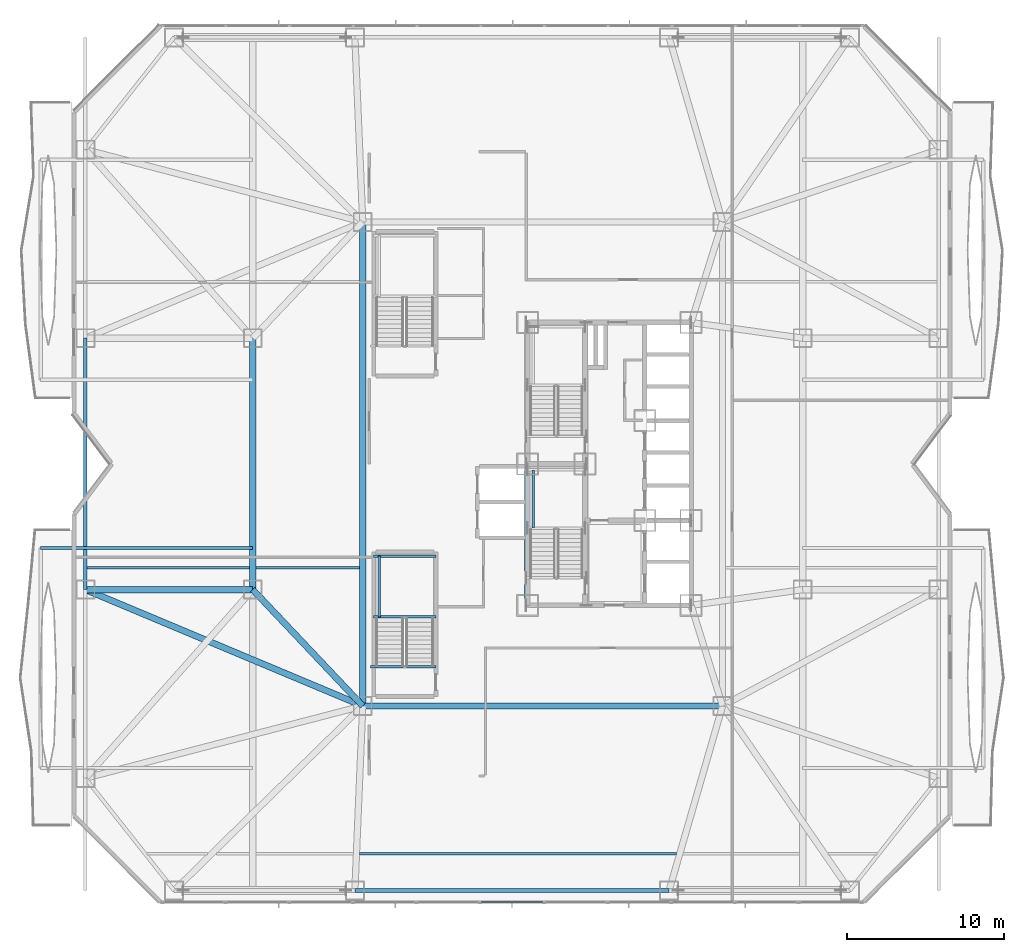
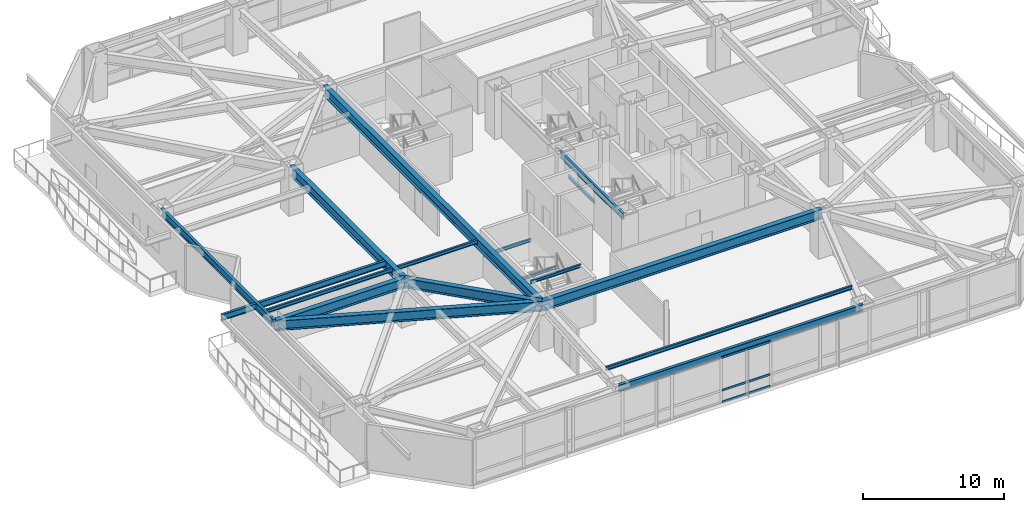
# One storey, part 5 of 32: 18 beams, 3 members, 1 element without a shape of its own.
"""IFC4 building model written with IfcOpenShell, lengths in metres."""

from ifc_helpers import new_model, si_unit, direction, frame, origin, origin_2d, place, context, subcontext, project, spatial, hollow_rectangle, i_section, extrude, material, material_profile, profile_set, type_object, element, aggregate, save


model = new_model("IFC4")

# Units and contexts
model_context = context("Model", 3, precision=1e-05, world=origin(), true_north=direction((0.0, 1.0)))
body_context = subcontext(model_context, "Body", "Model", "MODEL_VIEW")
ifc_project = project(units=[si_unit("LENGTHUNIT", "METRE"), si_unit("AREAUNIT", "SQUARE_METRE"), si_unit("VOLUMEUNIT", "CUBIC_METRE"), si_unit("PLANEANGLEUNIT", "RADIAN"), si_unit("MASSUNIT", "GRAM", prefix="KILO")], contexts=[model_context])

# Site, building, storey
site_placement = place(None, origin())
site = spatial("IfcSite", under=ifc_project, at=site_placement, CompositionType="ELEMENT")
building_placement = place(site_placement, origin())
building = spatial("IfcBuilding", under=site, at=building_placement, Name="Khamvora Tower", CompositionType="ELEMENT")
storey_placement = place(building_placement, frame((0.0, 0.0, 12.0)))
storey = spatial("IfcBuildingStorey", under=building, at=storey_placement, Name="L02", CompositionType="ELEMENT", Elevation=12.0)

# Beams
ifc_material_1 = material(Name="Steel S355", Category="steel")
ifc_material_profile_1 = material_profile(ifc_material_1, i_section(OverallWidth=0.166015625, OverallDepth=0.31298828125, WebThickness=0.007080078125, FlangeThickness=0.010986328125, FilletRadius=0.010009765625, at=origin_2d()), Name="W310x45")
ifc_profile_set_1 = profile_set([ifc_material_profile_1], Name="Steel S355")
beam_type_1 = type_object("IfcBeamType", Name="BM-JS-W310x45", PredefinedType="JOIST", material=ifc_profile_set_1)
beam_1_placement = place(storey_placement, frame((18.294921875, 3.199951171875, 3.763916015625), z_axis=(1.0, 0.0, 0.0), x_axis=(0.0, 1.0, 0.0)))
element("IfcBeam", 1, at=beam_1_placement, inside=storey, type_object=beam_type_1, Name="L02 secondary floor joist 04", PredefinedType="JOIST", context=body_context, shape_type="SweptSolid", body=[
    extrude(i_section(OverallWidth=0.166015625, OverallDepth=0.31298828125, WebThickness=0.007080078125, FlangeThickness=0.010986328125, FilletRadius=0.010009765625, at=origin_2d()), origin(), (0.0, 0.0, 1.0), 20.18212890625),
])
beam_2_placement = place(storey_placement, frame((0.9599609375, 21.39990234375, 3.763916015625), z_axis=(1.0, 0.0, 0.0), x_axis=(0.0, 1.0, 0.0)))
element("IfcBeam", 2, at=beam_2_placement, inside=storey, type_object=beam_type_1, Name="L02 secondary floor joist 07", PredefinedType="JOIST", context=body_context, shape_type="SweptSolid", body=[
    extrude(i_section(OverallWidth=0.166015625, OverallDepth=0.31298828125, WebThickness=0.007080078125, FlangeThickness=0.010986328125, FilletRadius=0.010009765625, at=origin_2d()), origin(), (0.0, 0.0, 1.0), 10.344970703125),
])
beam_3_placement = place(storey_placement, frame((11.695068359375, 21.39990234375, 3.763916015625), z_axis=(1.0, 0.0, 0.0), x_axis=(0.0, 1.0, 0.0)))
element("IfcBeam", 3, at=beam_3_placement, inside=storey, type_object=beam_type_1, Name="L02 secondary floor joist 08", PredefinedType="JOIST", context=body_context, shape_type="SweptSolid", body=[
    extrude(i_section(OverallWidth=0.166015625, OverallDepth=0.31298828125, WebThickness=0.007080078125, FlangeThickness=0.010986328125, FilletRadius=0.010009765625, at=origin_2d()), origin(), (0.0, 0.0, 1.0), 6.60986328125),
])
ifc_material_profile_2 = material_profile(ifc_material_1, i_section(OverallWidth=0.14697265625, OverallDepth=0.261962890625, WebThickness=0.007080078125, FlangeThickness=0.010986328125, FilletRadius=0.008056640625, at=origin_2d()), Name="W250x39")
ifc_profile_set_2 = profile_set([ifc_material_profile_2], Name="Steel S355")
beam_type_2 = type_object("IfcBeamType", Name="BM-LN-W250x39", PredefinedType="LINTEL", material=ifc_profile_set_2)
beam_4_placement = place(storey_placement, frame((29.35009765625, 23.9150390625, 1.76904296875), z_axis=(0.0, 1.0, 0.0), x_axis=(-1.0, 0.0, 0.0)))
element("IfcBeam", 4, at=beam_4_placement, inside=storey, type_object=beam_type_2, Name="L02 ST-01 half-landing edge stringer 1", PredefinedType="LINTEL", context=body_context, shape_type="SweptSolid", body=[
    extrude(i_section(OverallWidth=0.14697265625, OverallDepth=0.261962890625, WebThickness=0.007080078125, FlangeThickness=0.010986328125, FilletRadius=0.008056640625, at=origin_2d()), origin(), (0.0, 0.0, 1.0), 3.71484375),
])
for number, where, z_axis, x_axis, name in (
    (5, (19.199951171875, 18.264892578125, 1.76904296875), (1.0, 0.0, 0.0), (0.0, 1.0, 0.0), "L02 ST-03 half-landing support beam 1.1"),
    (6, (19.199951171875, 22.1298828125, 1.76904296875), (1.0, 0.0, 0.0), (0.0, 1.0, 0.0), "L02 ST-03 half-landing support beam 1.2"),
):
    element("IfcBeam", number, at=place(storey_placement, frame(where, z_axis=z_axis, x_axis=x_axis)), inside=storey, type_object=beam_type_2, Name=name, PredefinedType="LINTEL", context=body_context, shape_type="SweptSolid", body=[
        extrude(i_section(OverallWidth=0.14697265625, OverallDepth=0.261962890625, WebThickness=0.007080078125, FlangeThickness=0.010986328125, FilletRadius=0.008056640625, at=origin_2d()), origin(), (0.0, 0.0, 1.0), 3.949951171875),
    ])
beam_5_placement = place(storey_placement, frame((19.550048828125, 18.264892578125, 1.76904296875), z_axis=(0.0, 1.0, 0.0), x_axis=(-1.0, 0.0, 0.0)))
element("IfcBeam", 7, at=beam_5_placement, inside=storey, type_object=beam_type_2, Name="L02 ST-03 half-landing edge stringer 1", PredefinedType="LINTEL", context=body_context, shape_type="SweptSolid", body=[
    extrude(i_section(OverallWidth=0.14697265625, OverallDepth=0.261962890625, WebThickness=0.007080078125, FlangeThickness=0.010986328125, FilletRadius=0.008056640625, at=origin_2d()), origin(), (0.0, 0.0, 1.0), 3.864990234375),
])
beam_6_placement = place(storey_placement, frame((19.0, 15.10009765625, 3.7939453125), z_axis=(1.0, 0.0, 0.0), x_axis=(0.0, 1.0, 0.0)))
element("IfcBeam", 8, at=beam_6_placement, inside=storey, type_object=beam_type_2, Name="L02 podium stair ST03 landing trimmer beam", PredefinedType="LINTEL", context=body_context, shape_type="SweptSolid", body=[
    extrude(i_section(OverallWidth=0.14697265625, OverallDepth=0.261962890625, WebThickness=0.007080078125, FlangeThickness=0.010986328125, FilletRadius=0.008056640625, at=origin_2d()), origin(), (0.0, 0.0, 1.0), 4.14990234375),
])
ifc_material_profile_3 = material_profile(ifc_material_1, i_section(OverallWidth=0.39990234375, OverallDepth=0.85498046875, WebThickness=0.01806640625, FlangeThickness=0.029052734375, FilletRadius=0.01806640625, at=origin_2d()), Name="W840x299")
ifc_profile_set_3 = profile_set([ifc_material_profile_3], Name="Steel S355")
beam_type_3 = type_object("IfcBeamType", Name="BM-PG-W840x299", PredefinedType="BEAM", material=ifc_profile_set_3)
beam_7_placement = place(storey_placement, frame((18.5, 12.60009765625, 3.491943359375), z_axis=(0.0, 1.0, 0.0), x_axis=(-1.0, 0.0, 0.0)))
element("IfcBeam", 9, at=beam_7_placement, inside=storey, type_object=beam_type_3, Name="L02 longitudinal frame girder P17-P19", PredefinedType="BEAM", context=body_context, shape_type="SweptSolid", body=[
    extrude(i_section(OverallWidth=0.39990234375, OverallDepth=0.85498046875, WebThickness=0.01806640625, FlangeThickness=0.029052734375, FilletRadius=0.01806640625, at=origin_2d()), origin(), (0.0, 0.0, 1.0), 30.7998046875),
])
beam_8_placement = place(storey_placement, frame((18.5, 12.60009765625, 3.491943359375), z_axis=(1.0, 0.0, 0.0), x_axis=(0.0, 1.0, 0.0)))
element("IfcBeam", 10, at=beam_8_placement, inside=storey, type_object=beam_type_3, Name="L02 longitudinal frame girder P17-P18", PredefinedType="BEAM", context=body_context, shape_type="SweptSolid", body=[
    extrude(i_section(OverallWidth=0.39990234375, OverallDepth=0.85498046875, WebThickness=0.01806640625, FlangeThickness=0.029052734375, FilletRadius=0.01806640625, at=origin_2d()), origin(), (0.0, 0.0, 1.0), 22.89990234375),
])
beam_9_placement = place(storey_placement, frame((11.5, 20.0, 3.491943359375), z_axis=(0.0, 1.0, 0.0), x_axis=(-1.0, 0.0, 0.0)))
element("IfcBeam", 11, at=beam_9_placement, inside=storey, type_object=beam_type_3, Name="L02 longitudinal frame girder P21-P22", PredefinedType="BEAM", context=body_context, shape_type="SweptSolid", body=[
    extrude(i_section(OverallWidth=0.39990234375, OverallDepth=0.85498046875, WebThickness=0.01806640625, FlangeThickness=0.029052734375, FilletRadius=0.01806640625, at=origin_2d()), origin(), (0.0, 0.0, 1.0), 16.0),
])
beam_10_placement = place(storey_placement, frame((11.5, 20.0, 3.491943359375), z_axis=(-1.0, 0.0, 0.0), x_axis=(0.0, -1.0, 0.0)))
element("IfcBeam", 12, at=beam_10_placement, inside=storey, type_object=beam_type_3, Name="L02 primary floor girder P10", PredefinedType="BEAM", context=body_context, shape_type="SweptSolid", body=[
    extrude(i_section(OverallWidth=0.39990234375, OverallDepth=0.85498046875, WebThickness=0.01806640625, FlangeThickness=0.029052734375, FilletRadius=0.01806640625, at=origin_2d()), origin(), (0.0, 0.0, 1.0), 10.64990234375),
])
beam_11_placement = place(storey_placement, frame((18.5, 12.60009765625, 3.491943359375), z_axis=(-0.687204640029, 0.726463889483, 0.0), x_axis=(-0.726463889483, -0.687204640029, 0.0)))
element("IfcBeam", 13, at=beam_11_placement, inside=storey, type_object=beam_type_3, Name="L02 primary floor girder P21", PredefinedType="BEAM", context=body_context, shape_type="SweptSolid", body=[
    extrude(i_section(OverallWidth=0.39990234375, OverallDepth=0.85498046875, WebThickness=0.01806640625, FlangeThickness=0.029052734375, FilletRadius=0.01806640625, at=origin_2d()), origin(), (0.0, 0.0, 1.0), 10.186279296875),
])
beam_12_placement = place(storey_placement, frame((0.85009765625, 20.0, 3.491943359375), z_axis=(0.922225491396, -0.386652483529, 0.0), x_axis=(0.386652483529, 0.922225491396, 0.0)))
element("IfcBeam", 14, at=beam_12_placement, inside=storey, type_object=beam_type_3, Name="L02 west plinth tie girder 2", PredefinedType="BEAM", context=body_context, shape_type="SweptSolid", body=[
    extrude(i_section(OverallWidth=0.39990234375, OverallDepth=0.85498046875, WebThickness=0.01806640625, FlangeThickness=0.029052734375, FilletRadius=0.01806640625, at=origin_2d()), origin(), (0.0, 0.0, 1.0), 19.138427734375),
])
ifc_material_profile_4 = material_profile(ifc_material_1, i_section(OverallWidth=0.208984375, OverallDepth=0.532958984375, WebThickness=0.010009765625, FlangeThickness=0.01611328125, FilletRadius=0.013916015625, at=origin_2d()), Name="W530x92")
ifc_profile_set_4 = profile_set([ifc_material_profile_4], Name="Steel S355")
beam_type_4 = type_object("IfcBeamType", Name="BM-SP-W530x92", PredefinedType="SPANDREL", material=ifc_profile_set_4)
beam_13_placement = place(storey_placement, frame((28.89990234375, 19.0, 3.653076171875), z_axis=(0.0, 1.0, 0.0), x_axis=(-1.0, 0.0, 0.0)))
element("IfcBeam", 15, at=beam_13_placement, inside=storey, type_object=beam_type_4, Name="L02 core spine girder WS", PredefinedType="SPANDREL", context=body_context, shape_type="SweptSolid", body=[
    extrude(i_section(OverallWidth=0.208984375, OverallDepth=0.532958984375, WebThickness=0.010009765625, FlangeThickness=0.01611328125, FilletRadius=0.013916015625, at=origin_2d()), origin(), (0.0, 0.0, 1.0), 9.0),
])
beam_14_placement = place(storey_placement, frame((11.5, 22.64990234375, 3.512939453125), z_axis=(-1.0, 0.0, 0.0), x_axis=(0.0, -1.0, 0.0)))
element("IfcBeam", 16, at=beam_14_placement, inside=storey, type_object=beam_type_4, Name="L02 continuous gallery cantilever girder L03-WL1-2", PredefinedType="SPANDREL", context=body_context, shape_type="SweptSolid", body=[
    extrude(i_section(OverallWidth=0.208984375, OverallDepth=0.532958984375, WebThickness=0.010009765625, FlangeThickness=0.01611328125, FilletRadius=0.013916015625, at=origin_2d()), origin(), (0.0, 0.0, 1.0), 13.5),
])
ifc_material_profile_5 = material_profile(ifc_material_1, i_section(OverallWidth=0.22998046875, OverallDepth=0.616943359375, WebThickness=0.012939453125, FlangeThickness=0.02197265625, FilletRadius=0.013916015625, at=origin_2d()), Name="W610x140")
ifc_profile_set_5 = profile_set([ifc_material_profile_5], Name="Steel S355")
beam_type_5 = type_object("IfcBeamType", Name="BM-SP-W610x140", PredefinedType="SPANDREL", material=ifc_profile_set_5)
beam_15_placement = place(storey_placement, frame((18.0, 0.85009765625, 3.611083984375), z_axis=(1.0, 0.0, 0.0), x_axis=(0.0, 1.0, 0.0)))
element("IfcBeam", 17, at=beam_15_placement, inside=storey, type_object=beam_type_5, Name="L02 perimeter spandrel beam P02-P03", PredefinedType="SPANDREL", context=body_context, shape_type="SweptSolid", body=[
    extrude(i_section(OverallWidth=0.22998046875, OverallDepth=0.616943359375, WebThickness=0.012939453125, FlangeThickness=0.02197265625, FilletRadius=0.013916015625, at=origin_2d()), origin(), (0.0, 0.0, 1.0), 20.0),
])
beam_16_placement = place(storey_placement, frame((0.85009765625, 36.0, 3.611083984375), z_axis=(0.0, -1.0, 0.0), x_axis=(1.0, 0.0, 0.0)))
element("IfcBeam", 18, at=beam_16_placement, inside=storey, type_object=beam_type_5, Name="L02 perimeter spandrel beam P11-P10", PredefinedType="SPANDREL", context=body_context, shape_type="SweptSolid", body=[
    extrude(i_section(OverallWidth=0.22998046875, OverallDepth=0.616943359375, WebThickness=0.012939453125, FlangeThickness=0.02197265625, FilletRadius=0.013916015625, at=origin_2d()), origin(), (0.0, 0.0, 1.0), 16.0),
])

# Curtain wall, members
ifc_material_2 = material(Name="Anodised Aluminium 6063-T6", Category="aluminium")
curtain_wall_type = type_object("IfcCurtainWallType", Name="CW-SYS-01", PredefinedType="NOTDEFINED", material=ifc_material_2)
curtain_wall_placement = place(storey_placement, origin())
curtain_wall = element("IfcCurtainWall", 19, at=curtain_wall_placement, inside=storey, type_object=curtain_wall_type, Name="L02 stick curtain wall 14.1", PredefinedType="NOTDEFINED")
ifc_material_profile_6 = material_profile(ifc_material_2, hollow_rectangle(XDim=0.074951171875, YDim=0.179931640625, WallThickness=0.0048828125, at=origin_2d()), Name="TRN75x180x5")
ifc_profile_set_6 = profile_set([ifc_material_profile_6], Name="Anodised Aluminium 6063-T6")
member_type = type_object("IfcMemberType", Name="CW-SYS-01-TRN", PredefinedType="USERDEFINED", material=ifc_profile_set_6)
member_1_placement = place(storey_placement, frame((29.987548828125, 0.1201171875, 0.03759765625), z_axis=(-1.0, 0.0, 0.0), x_axis=(0.0, -1.0, 0.0)))
member_1 = element("IfcMember", 20, at=member_1_placement, type_object=member_type, Name="CW-01 transom 6.1", ObjectType="TRANSOM", PredefinedType="USERDEFINED", context=body_context, shape_type="SweptSolid", body=[
    extrude(hollow_rectangle(XDim=0.074951171875, YDim=0.179931640625, WallThickness=0.0048828125, at=origin_2d()), origin(), (0.0, 0.0, 1.0), 3.97509765625),
])
member_2_placement = place(storey_placement, frame((29.987548828125, 0.1201171875, 1.050048828125), z_axis=(-1.0, 0.0, 0.0), x_axis=(0.0, -1.0, 0.0)))
member_2 = element("IfcMember", 21, at=member_2_placement, type_object=member_type, Name="CW-01 transom 6.2", ObjectType="TRANSOM", PredefinedType="USERDEFINED", context=body_context, shape_type="SweptSolid", body=[
    extrude(hollow_rectangle(XDim=0.074951171875, YDim=0.179931640625, WallThickness=0.0048828125, at=origin_2d()), origin(), (0.0, 0.0, 1.0), 3.97509765625),
])
member_3_placement = place(storey_placement, frame((29.987548828125, 0.1201171875, 3.882568359375), z_axis=(-1.0, 0.0, 0.0), x_axis=(0.0, -1.0, 0.0)))
member_3 = element("IfcMember", 22, at=member_3_placement, type_object=member_type, Name="CW-01 transom 6.3", ObjectType="TRANSOM", PredefinedType="USERDEFINED", context=body_context, shape_type="SweptSolid", body=[
    extrude(hollow_rectangle(XDim=0.074951171875, YDim=0.179931640625, WallThickness=0.0048828125, at=origin_2d()), origin(), (0.0, 0.0, 1.0), 3.97509765625),
])
aggregate(curtain_wall, [member_1, member_2, member_3])

save(model, "model.ifc")
